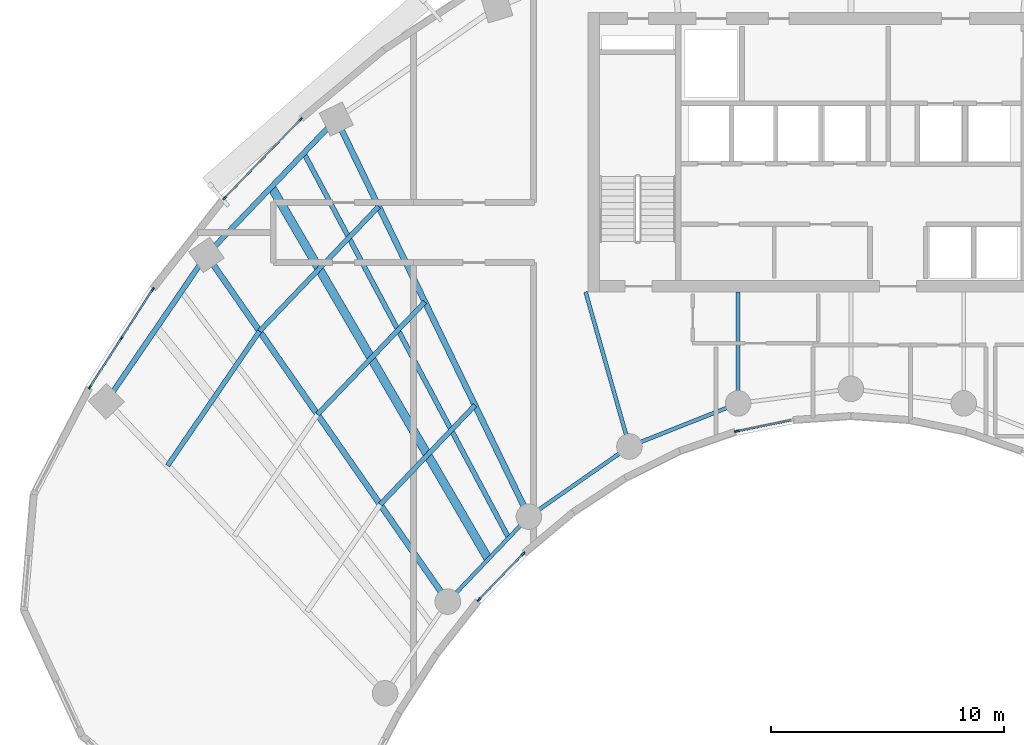
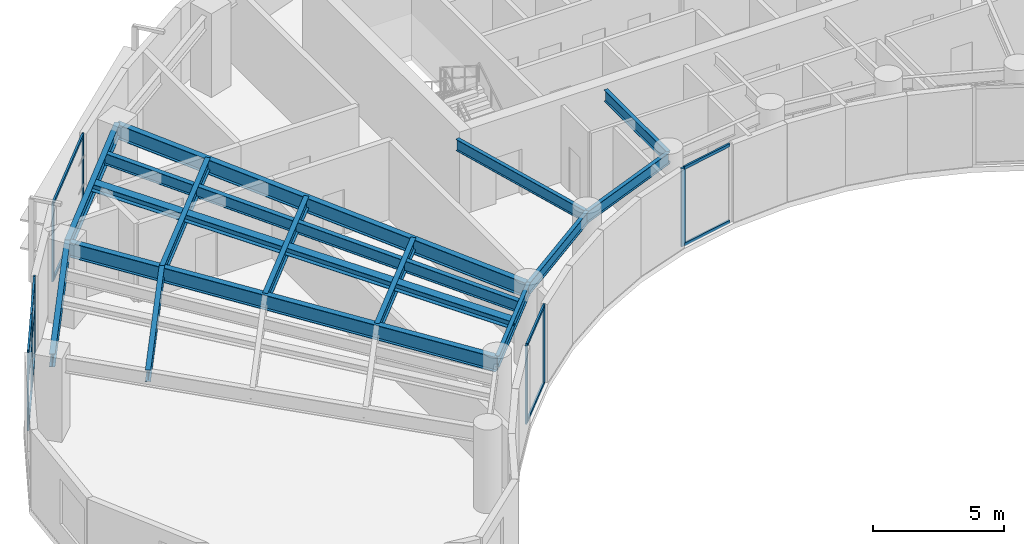
# One storey, part 2 of 13: 20 members, 15 beams, 4 elements without a shape of their own.
"""IFC4 building model written with IfcOpenShell, lengths in metres."""

from ifc_helpers import new_model, si_unit, direction, frame, origin, origin_2d, place, context, subcontext, project, spatial, rectangle, i_section, extrude, source, transform, mapped, material, layer, layer_set, material_profile, profile_set, type_object, type_shapes, element, aggregate, save


model = new_model("IFC4")

# Units and contexts
model_context = context("Model", 3, precision=1e-05, world=origin(), true_north=direction((0.0, 1.0)))
body_context = subcontext(model_context, "Body", "Model", "MODEL_VIEW")
ifc_project = project(units=[si_unit("LENGTHUNIT", "METRE"), si_unit("AREAUNIT", "SQUARE_METRE"), si_unit("VOLUMEUNIT", "CUBIC_METRE"), si_unit("PLANEANGLEUNIT", "RADIAN"), si_unit("MASSUNIT", "GRAM", prefix="KILO")], contexts=[model_context])

# Site, building, storey
site_placement = place(None, origin())
site = spatial("IfcSite", under=ifc_project, at=site_placement, CompositionType="ELEMENT")
building_placement = place(site_placement, origin())
building = spatial("IfcBuilding", under=site, at=building_placement, Name="Breltana Convention Tower", CompositionType="ELEMENT")
storey_placement = place(building_placement, frame((0.0, 0.0, 181.800048828125)))
storey = spatial("IfcBuildingStorey", under=building, at=storey_placement, Name="L44", CompositionType="ELEMENT", Elevation=181.800048828125)

# Beams
ifc_material_1 = material(Name="Steel ASTM A992 Grade 50", Category="steel")
ifc_material_profile_1 = material_profile(ifc_material_1, i_section(OverallWidth=0.2099609375, OverallDepth=0.537109375, WebThickness=0.010986328125, FlangeThickness=0.017333984375, at=origin_2d()), Name="W21X68")
ifc_profile_set_1 = profile_set([ifc_material_profile_1], Name="Steel ASTM A992 Grade 50")
beam_type_1 = type_object("IfcBeamType", Name="BM-JSG-04", PredefinedType="JOIST", material=ifc_profile_set_1)
shared_shape_1 = source(origin(), body_context, "Body", "SweptSolid", [
    extrude(i_section(OverallWidth=0.2099609375, OverallDepth=0.537109375, WebThickness=0.010986328125, FlangeThickness=0.017333984375, at=origin_2d()), origin(), (0.0, 0.0, 1.0), 6.997314453125),
])
beam_1_placement = place(storey_placement, frame((18.641845703125, 52.735595703125, 3.38134765625), z_axis=(0.564468756361, 0.825454434292, 0.0), x_axis=(-0.825454434292, 0.564468756361, 0.0)))
element("IfcBeam", 1, at=beam_1_placement, inside=storey, type_object=beam_type_1, Name="L44 Composite Floor Joist 01.3", PredefinedType="JOIST", context=body_context, shape_type="MappedRepresentation", body=[
    mapped(shared_shape_1, transform((0.0, 0.0, 0.0), scale=1.0)),
])
shared_shape_2 = source(origin(), body_context, "Body", "SweptSolid", [
    extrude(i_section(OverallWidth=0.2099609375, OverallDepth=0.537109375, WebThickness=0.010986328125, FlangeThickness=0.017333984375, at=origin_2d()), origin(), (0.0, 0.0, 1.0), 5.8974609375),
])
beam_2_placement = place(storey_placement, frame((27.774658203125, 51.063232421875, 3.38134765625), z_axis=(0.690713978666, 0.723128065888, 0.0), x_axis=(-0.723128065888, 0.690713978666, 0.0)))
element("IfcBeam", 2, at=beam_2_placement, inside=storey, type_object=beam_type_1, Name="L44 Composite Floor Joist 02.1", PredefinedType="JOIST", context=body_context, shape_type="MappedRepresentation", body=[
    mapped(shared_shape_2, transform((0.0, 0.0, 0.0), scale=1.0)),
])
shared_shape_3 = source(origin(), body_context, "Body", "SweptSolid", [
    extrude(i_section(OverallWidth=0.2099609375, OverallDepth=0.537109375, WebThickness=0.010986328125, FlangeThickness=0.017333984375, at=origin_2d()), origin(), (0.0, 0.0, 1.0), 6.68359375),
])
beam_3_placement = place(storey_placement, frame((25.079345703125, 54.936279296875, 3.38134765625), z_axis=(0.690720705885, 0.723121640156, 0.0), x_axis=(-0.723121640156, 0.690720705885, 0.0)))
element("IfcBeam", 3, at=beam_3_placement, inside=storey, type_object=beam_type_1, Name="L44 Composite Floor Joist 02.2", PredefinedType="JOIST", context=body_context, shape_type="MappedRepresentation", body=[
    mapped(shared_shape_3, transform((0.0, 0.0, 0.0), scale=1.0)),
])
shared_shape_4 = source(origin(), body_context, "Body", "SweptSolid", [
    extrude(i_section(OverallWidth=0.2099609375, OverallDepth=0.537109375, WebThickness=0.010986328125, FlangeThickness=0.017333984375, at=origin_2d()), origin(), (0.0, 0.0, 1.0), 7.40869140625),
])
beam_4_placement = place(storey_placement, frame((22.591552734375, 58.511474609375, 3.38134765625), z_axis=(0.690724936208, 0.723117599358, 0.0), x_axis=(-0.723117599358, 0.690724936208, 0.0)))
element("IfcBeam", 4, at=beam_4_placement, inside=storey, type_object=beam_type_1, Name="L44 Composite Floor Joist 02.3", PredefinedType="JOIST", context=body_context, shape_type="MappedRepresentation", body=[
    mapped(shared_shape_4, transform((0.0, 0.0, 0.0), scale=1.0)),
])
ifc_material_profile_2 = material_profile(ifc_material_1, i_section(OverallWidth=0.368896484375, OverallDepth=0.35595703125, WebThickness=0.01123046875, FlangeThickness=0.01806640625, at=origin_2d()), Name="W14X90")
ifc_profile_set_2 = profile_set([ifc_material_profile_2], Name="Steel ASTM A992 Grade 50")
beam_type_2 = type_object("IfcBeamType", Name="BM-JSG-09", PredefinedType="JOIST", material=ifc_profile_set_2)
shared_shape_5 = source(origin(), body_context, "Body", "SweptSolid", [
    extrude(i_section(OverallWidth=0.368896484375, OverallDepth=0.35595703125, WebThickness=0.01123046875, FlangeThickness=0.01806640625, at=origin_2d()), origin(), (0.0, 0.0, 1.0), 18.50830078125),
])
beam_5_placement = place(storey_placement, frame((32.421630859375, 48.71875, 3.471923828125), z_axis=(-0.50368319637, 0.863888440537, 0.0), x_axis=(-0.863888440537, -0.50368319637, 0.0)))
element("IfcBeam", 5, at=beam_5_placement, inside=storey, type_object=beam_type_2, Name="L44 Mid-Bay Radial Trimmer 02", PredefinedType="JOIST", context=body_context, shape_type="MappedRepresentation", body=[
    mapped(shared_shape_5, transform((0.0, 0.0, 0.0), scale=1.0)),
])
shared_shape_6 = source(origin(), body_context, "Body", "SweptSolid", [
    extrude(i_section(OverallWidth=0.2099609375, OverallDepth=0.537109375, WebThickness=0.010986328125, FlangeThickness=0.017333984375, at=origin_2d()), origin(), (0.0, 0.0, 1.0), 18.731689453125),
])
beam_6_placement = place(storey_placement, frame((33.2939453125, 49.6318359375, 3.38134765625), z_axis=(-0.469820250451, 0.882762104004, 0.0), x_axis=(-0.882762104004, -0.469820250451, 0.0)))
element("IfcBeam", 6, at=beam_6_placement, inside=storey, type_object=beam_type_1, Name="L44 Quarter-Bay Radial Trimmer 02", PredefinedType="JOIST", context=body_context, shape_type="MappedRepresentation", body=[
    mapped(shared_shape_6, transform((0.0, 0.0, 0.0), scale=1.0)),
])
ifc_material_profile_3 = material_profile(ifc_material_1, i_section(OverallWidth=0.25390625, OverallDepth=0.68798828125, WebThickness=0.01318359375, FlangeThickness=0.02099609375, at=origin_2d()), Name="W27X102")
ifc_profile_set_3 = profile_set([ifc_material_profile_3], Name="Steel ASTM A992 Grade 50")
beam_type_3 = type_object("IfcBeamType", Name="BM-RG-W27X102", PredefinedType="USERDEFINED", material=ifc_profile_set_3)
shared_shape_7 = source(origin(), body_context, "Body", "SweptSolid", [
    extrude(i_section(OverallWidth=0.25390625, OverallDepth=0.68798828125, WebThickness=0.01318359375, FlangeThickness=0.02099609375, at=origin_2d()), origin(), (0.0, 0.0, 1.0), 18.1484375),
])
beam_7_placement = place(storey_placement, frame((30.67724609375, 46.892333984375, 3.305908203125), z_axis=(-0.571207556098, 0.820805657788, 0.0), x_axis=(-0.820805657788, -0.571207556098, 0.0)))
element("IfcBeam", 7, at=beam_7_placement, inside=storey, type_object=beam_type_3, Name="L44 Radial Floor Girder R02", ObjectType="GIRDER", PredefinedType="USERDEFINED", context=body_context, shape_type="MappedRepresentation", body=[
    mapped(shared_shape_7, transform((0.0, 0.0, 0.0), scale=1.0)),
])
shared_shape_8 = source(origin(), body_context, "Body", "SweptSolid", [
    extrude(i_section(OverallWidth=0.25390625, OverallDepth=0.68798828125, WebThickness=0.01318359375, FlangeThickness=0.02099609375, at=origin_2d()), origin(), (0.0, 0.0, 1.0), 18.982421875),
])
beam_8_placement = place(storey_placement, frame((34.166259765625, 50.544921875, 3.305908203125), z_axis=(-0.436118560343, 0.89988921614, 0.0), x_axis=(-0.89988921614, -0.436118560343, 0.0)))
element("IfcBeam", 8, at=beam_8_placement, inside=storey, type_object=beam_type_3, Name="L44 Radial Floor Girder R03", ObjectType="GIRDER", PredefinedType="USERDEFINED", context=body_context, shape_type="MappedRepresentation", body=[
    mapped(shared_shape_8, transform((0.0, 0.0, 0.0), scale=1.0)),
])
ifc_material_profile_4 = material_profile(ifc_material_1, i_section(OverallWidth=0.166015625, OverallDepth=0.534912109375, WebThickness=0.01025390625, FlangeThickness=0.0166015625, at=origin_2d()), Name="W21X57")
ifc_profile_set_4 = profile_set([ifc_material_profile_4], Name="Steel ASTM A992 Grade 50")
beam_type_4 = type_object("IfcBeamType", Name="BM-BM-W21X57", PredefinedType="BEAM", material=ifc_profile_set_4)
shared_shape_9 = source(origin(), body_context, "Body", "SweptSolid", [
    extrude(i_section(OverallWidth=0.166015625, OverallDepth=0.534912109375, WebThickness=0.01025390625, FlangeThickness=0.0166015625, at=origin_2d()), origin(), (0.0, 0.0, 1.0), 6.904541015625),
])
type_shapes(beam_type_4, [shared_shape_9])
beam_9_placement = place(storey_placement, frame((36.60009765625, 60.199951171875, 3.382568359375), z_axis=(0.273006781054, -0.962012108811, 0.0), x_axis=(0.962012108811, 0.273006781054, 0.0)))
element("IfcBeam", 9, at=beam_9_placement, inside=storey, type_object=beam_type_4, Name="L44 South Core Tie Girder R04", PredefinedType="BEAM", context=body_context, shape_type="MappedRepresentation", body=[
    mapped(shared_shape_9, transform((0.0, 0.0, 0.0), scale=1.0)),
])
shared_shape_10 = source(origin(), body_context, "Body", "SweptSolid", [
    extrude(i_section(OverallWidth=0.166015625, OverallDepth=0.534912109375, WebThickness=0.01025390625, FlangeThickness=0.0166015625, at=origin_2d()), origin(), (0.0, 0.0, 1.0), 4.789306640625),
])
beam_10_placement = place(storey_placement, frame((43.153564453125, 60.199951171875, 3.382568359375), z_axis=(0.0, -1.0, 0.0), x_axis=(1.0, 0.0, 0.0)))
element("IfcBeam", 10, at=beam_10_placement, inside=storey, type_object=beam_type_4, Name="L44 South Core Tie Girder R05", PredefinedType="BEAM", context=body_context, shape_type="MappedRepresentation", body=[
    mapped(shared_shape_10, transform((0.0, 0.0, 0.0), scale=1.0)),
])
ifc_material_profile_5 = material_profile(ifc_material_1, i_section(OverallWidth=0.22802734375, OverallDepth=0.60791015625, WebThickness=0.01123046875, FlangeThickness=0.017333984375, at=origin_2d()), Name="W24X76")
ifc_profile_set_5 = profile_set([ifc_material_profile_5], Name="Steel ASTM A992 Grade 50")
beam_type_5 = type_object("IfcBeamType", Name="BM-SP-W24X76", PredefinedType="SPANDREL", material=ifc_profile_set_5)
shared_shape_11 = source(origin(), body_context, "Body", "SweptSolid", [
    extrude(i_section(OverallWidth=0.22802734375, OverallDepth=0.60791015625, WebThickness=0.01123046875, FlangeThickness=0.017333984375, at=origin_2d()), origin(), (0.0, 0.0, 1.0), 7.625),
])
type_shapes(beam_type_5, [shared_shape_11])
beam_11_placement = place(storey_placement, frame((16.0068359375, 55.494384765625, 3.345947265625), z_axis=(0.564452031902, 0.825465870694, 0.0), x_axis=(-0.825465870694, 0.564452031902, 0.0)))
element("IfcBeam", 11, at=beam_11_placement, inside=storey, type_object=beam_type_5, Name="L44 Outer Spandrel Beam 01", PredefinedType="SPANDREL", context=body_context, shape_type="MappedRepresentation", body=[
    mapped(shared_shape_11, transform((0.0, 0.0, 0.0), scale=1.0)),
])
shared_shape_12 = source(origin(), body_context, "Body", "SweptSolid", [
    extrude(i_section(OverallWidth=0.166015625, OverallDepth=0.534912109375, WebThickness=0.01025390625, FlangeThickness=0.0166015625, at=origin_2d()), origin(), (0.0, 0.0, 1.0), 5.05126953125),
])
beam_12_placement = place(storey_placement, frame((30.67724609375, 46.892333984375, 3.382568359375), z_axis=(0.690729753845, 0.7231129975, 0.0), x_axis=(-0.7231129975, 0.690729753845, 0.0)))
element("IfcBeam", 12, at=beam_12_placement, inside=storey, type_object=beam_type_4, Name="L44 Inner Ring Beam 02", PredefinedType="BEAM", context=body_context, shape_type="MappedRepresentation", body=[
    mapped(shared_shape_12, transform((0.0, 0.0, 0.0), scale=1.0)),
])
shared_shape_13 = source(origin(), body_context, "Body", "SweptSolid", [
    extrude(i_section(OverallWidth=0.22802734375, OverallDepth=0.60791015625, WebThickness=0.01123046875, FlangeThickness=0.017333984375, at=origin_2d()), origin(), (0.0, 0.0, 1.0), 8.073974609375),
])
beam_13_placement = place(storey_placement, frame((20.310791015625, 61.78857421875, 3.345947265625), z_axis=(0.69072885448, 0.723113856588, 0.0), x_axis=(-0.723113856588, 0.69072885448, 0.0)))
element("IfcBeam", 13, at=beam_13_placement, inside=storey, type_object=beam_type_5, Name="L44 Outer Spandrel Beam 02", PredefinedType="SPANDREL", context=body_context, shape_type="MappedRepresentation", body=[
    mapped(shared_shape_13, transform((0.0, 0.0, 0.0), scale=1.0)),
])
shared_shape_14 = source(origin(), body_context, "Body", "SweptSolid", [
    extrude(i_section(OverallWidth=0.166015625, OverallDepth=0.534912109375, WebThickness=0.01025390625, FlangeThickness=0.0166015625, at=origin_2d()), origin(), (0.0, 0.0, 1.0), 5.265869140625),
])
beam_14_placement = place(storey_placement, frame((34.166259765625, 50.544921875, 3.382568359375), z_axis=(0.820167429517, 0.572123577176, 0.0), x_axis=(-0.572123577176, 0.820167429517, 0.0)))
element("IfcBeam", 14, at=beam_14_placement, inside=storey, type_object=beam_type_4, Name="L44 Inner Ring Beam 03", PredefinedType="BEAM", context=body_context, shape_type="MappedRepresentation", body=[
    mapped(shared_shape_14, transform((0.0, 0.0, 0.0), scale=1.0)),
])
shared_shape_15 = source(origin(), body_context, "Body", "SweptSolid", [
    extrude(i_section(OverallWidth=0.166015625, OverallDepth=0.534912109375, WebThickness=0.01025390625, FlangeThickness=0.0166015625, at=origin_2d()), origin(), (0.0, 0.0, 1.0), 5.022705078125),
])
beam_15_placement = place(storey_placement, frame((38.485107421875, 53.5576171875, 3.382568359375), z_axis=(0.929458966248, 0.368925507469, 0.0), x_axis=(-0.368925507469, 0.929458966248, 0.0)))
element("IfcBeam", 15, at=beam_15_placement, inside=storey, type_object=beam_type_4, Name="L44 Inner Ring Beam 04", PredefinedType="BEAM", context=body_context, shape_type="MappedRepresentation", body=[
    mapped(shared_shape_15, transform((0.0, 0.0, 0.0), scale=1.0)),
])

# Curtain wall, member
ifc_material_2 = material(Name="Aluminium Anodised Bronze Frame", Category="aluminium")
ifc_layer_1 = layer(ifc_material_2, 0.18994140625, Name="Aluminium Anodised Bronze Frame")
ifc_layer_set_1 = layer_set([ifc_layer_1], Name="Aluminium Anodised Bronze Frame")
curtain_wall_type_1 = type_object("IfcCurtainWallType", Name="CW-SYS-1", PredefinedType="NOTDEFINED", material=ifc_layer_set_1)
curtain_wall_1_placement = place(storey_placement, origin())
curtain_wall_1 = element("IfcCurtainWall", 16, at=curtain_wall_1_placement, inside=storey, type_object=curtain_wall_type_1, Name="L44 inner south-court glazing 4", PredefinedType="NOTDEFINED")
ifc_material_3 = material(Name="Aluminium Anodised Bronze", Category="aluminium")
ifc_material_profile_6 = material_profile(ifc_material_3, rectangle(XDim=0.080078125, YDim=0.199951171875, at=origin_2d()), Name="CWM-80X200")
ifc_profile_set_6 = profile_set([ifc_material_profile_6], Name="Aluminium Anodised Bronze")
member_type_1 = type_object("IfcMemberType", Name="CWM-200", PredefinedType="MULLION", material=ifc_profile_set_6)
shared_shape_16 = source(origin(), body_context, "Body", "SweptSolid", [
    extrude(rectangle(XDim=0.080078125, YDim=0.199951171875, at=origin_2d()), origin(), (0.0, 0.0, 1.0), 3.64990234375),
])
member_1_placement = place(storey_placement, frame((43.0966796875, 54.212646484375, 0.0), z_axis=(0.0, 0.0, 1.0), x_axis=(0.200861178299, -0.979619715529, 0.0)))
member_1 = element("IfcMember", 17, at=member_1_placement, type_object=member_type_1, Name="CW-01 mullion 2", PredefinedType="MULLION", context=body_context, shape_type="MappedRepresentation", body=[
    mapped(shared_shape_16, transform((0.0, 0.0, 0.0), scale=1.0)),
])

# Curtain wall, members
curtain_wall_2_placement = place(storey_placement, origin())
curtain_wall_2 = element("IfcCurtainWall", 18, at=curtain_wall_2_placement, inside=storey, type_object=curtain_wall_type_1, Name="L44 inner south-court glazing 5", PredefinedType="NOTDEFINED")
member_2_placement = place(storey_placement, frame((33.917236328125, 48.944580078125, 0.0), z_axis=(0.0, 0.0, 1.0), x_axis=(0.719389819694, -0.694606570168, 0.0)))
member_2 = element("IfcMember", 19, at=member_2_placement, type_object=member_type_1, Name="CW-01 mullion 1", PredefinedType="MULLION", context=body_context, shape_type="MappedRepresentation", body=[
    mapped(shared_shape_16, transform((0.0, 0.0, 0.0), scale=1.0)),
])
member_3_placement = place(storey_placement, frame((32.019287109375, 46.978759765625, 0.0), z_axis=(0.0, 0.0, 1.0), x_axis=(0.719389819694, -0.694606570168, 0.0)))
member_3 = element("IfcMember", 20, at=member_3_placement, type_object=member_type_1, Name="CW-01 mullion 2", PredefinedType="MULLION", context=body_context, shape_type="MappedRepresentation", body=[
    mapped(shared_shape_16, transform((0.0, 0.0, 0.0), scale=1.0)),
])

ifc_layer_2 = layer(ifc_material_2, 0.2099609375, Name="Aluminium Anodised Bronze Frame")
ifc_layer_set_2 = layer_set([ifc_layer_2], Name="Aluminium Anodised Bronze Frame")
curtain_wall_type_2 = type_object("IfcCurtainWallType", Name="CW-SYS-3", PredefinedType="NOTDEFINED", material=ifc_layer_set_2)
curtain_wall_3_placement = place(storey_placement, origin())
curtain_wall_3 = element("IfcCurtainWall", 21, at=curtain_wall_3_placement, inside=storey, type_object=curtain_wall_type_2, Name="L44 outer double-skin inner glazing 1", PredefinedType="NOTDEFINED")
ifc_material_profile_7 = material_profile(ifc_material_3, rectangle(XDim=0.070068359375, YDim=0.175048828125, at=origin_2d()), Name="CWM-70X175")
ifc_profile_set_7 = profile_set([ifc_material_profile_7], Name="Aluminium Anodised Bronze")
member_type_2 = type_object("IfcMemberType", Name="CWM-175", PredefinedType="MULLION", material=ifc_profile_set_7)
shared_shape_17 = source(origin(), body_context, "Body", "SweptSolid", [
    extrude(rectangle(XDim=0.070068359375, YDim=0.175048828125, at=origin_2d()), origin(), (0.0, 0.0, 1.0), 3.64990234375),
])
member_4_placement = place(storey_placement, frame((15.304443359375, 56.10498046875, 0.0), z_axis=(0.0, 0.0, 1.0), x_axis=(-0.841554203529, 0.54017267843, 0.0)))
member_4 = element("IfcMember", 22, at=member_4_placement, type_object=member_type_2, Name="CW-03 mullion 1", PredefinedType="MULLION", context=body_context, shape_type="MappedRepresentation", body=[
    mapped(shared_shape_17, transform((0.0, 0.0, 0.0), scale=1.0)),
])
member_5_placement = place(storey_placement, frame((16.6533203125, 58.20654296875, 0.0), z_axis=(0.0, 0.0, 1.0), x_axis=(-0.841554203529, 0.54017267843, 0.0)))
member_5 = element("IfcMember", 23, at=member_5_placement, type_object=member_type_2, Name="CW-03 mullion 2", PredefinedType="MULLION", context=body_context, shape_type="MappedRepresentation", body=[
    mapped(shared_shape_17, transform((0.0, 0.0, 0.0), scale=1.0)),
])
member_6_placement = place(storey_placement, frame((18.00244140625, 60.308349609375, 0.0), z_axis=(0.0, 0.0, 1.0), x_axis=(-0.841554203529, 0.54017267843, 0.0)))
member_6 = element("IfcMember", 24, at=member_6_placement, type_object=member_type_2, Name="CW-03 mullion 3", PredefinedType="MULLION", context=body_context, shape_type="MappedRepresentation", body=[
    mapped(shared_shape_17, transform((0.0, 0.0, 0.0), scale=1.0)),
])

curtain_wall_4_placement = place(storey_placement, origin())
curtain_wall_4 = element("IfcCurtainWall", 25, at=curtain_wall_4_placement, inside=storey, type_object=curtain_wall_type_2, Name="L44 outer double-skin inner glazing 2", PredefinedType="NOTDEFINED")
member_7_placement = place(storey_placement, frame((21.087890625, 64.2314453125, 0.0), z_axis=(0.0, 0.0, 1.0), x_axis=(-0.719393523398, 0.694602734297, 0.0)))
member_7 = element("IfcMember", 26, at=member_7_placement, type_object=member_type_2, Name="CW-03 mullion 1", PredefinedType="MULLION", context=body_context, shape_type="MappedRepresentation", body=[
    mapped(shared_shape_17, transform((0.0, 0.0, 0.0), scale=1.0)),
])
member_8_placement = place(storey_placement, frame((24.356689453125, 67.616943359375, 0.0), z_axis=(0.0, 0.0, 1.0), x_axis=(-0.719393523398, 0.694602734297, 0.0)))
member_8 = element("IfcMember", 27, at=member_8_placement, type_object=member_type_2, Name="CW-03 mullion 2", PredefinedType="MULLION", context=body_context, shape_type="MappedRepresentation", body=[
    mapped(shared_shape_17, transform((0.0, 0.0, 0.0), scale=1.0)),
])

# Member
ifc_material_profile_8 = material_profile(ifc_material_3, rectangle(XDim=0.080078125, YDim=0.139892578125, at=origin_2d()), Name="CWT-80X140")
ifc_profile_set_8 = profile_set([ifc_material_profile_8], Name="Aluminium Anodised Bronze")
member_type_3 = type_object("IfcMemberType", Name="CWT-140", PredefinedType="USERDEFINED", material=ifc_profile_set_8)
shared_shape_18 = source(origin(), body_context, "Body", "SweptSolid", [
    extrude(rectangle(XDim=0.080078125, YDim=0.139892578125, at=origin_2d()), origin(), (0.0, 0.0, 1.0), 2.427490234375),
])
member_9_placement = place(storey_placement, frame((15.3232421875, 56.134521484375, 0.0400390625), z_axis=(0.540203388332, 0.841534490817, 0.0), x_axis=(-0.841534490817, 0.540203388332, 0.0)))
member_9 = element("IfcMember", 28, at=member_9_placement, type_object=member_type_3, Name="CW-03 transom 1.1", ObjectType="TRANSOM", PredefinedType="USERDEFINED", context=body_context, shape_type="MappedRepresentation", body=[
    mapped(shared_shape_18, transform((0.0, 0.0, 0.0), scale=1.0)),
])

member_10_placement = place(storey_placement, frame((15.3232421875, 56.134521484375, 2.37255859375), z_axis=(0.540203388332, 0.841534490817, 0.0), x_axis=(-0.841534490817, 0.540203388332, 0.0)))
member_10 = element("IfcMember", 29, at=member_10_placement, type_object=member_type_3, Name="CW-03 transom 1.2", ObjectType="TRANSOM", PredefinedType="USERDEFINED", context=body_context, shape_type="MappedRepresentation", body=[
    mapped(shared_shape_18, transform((0.0, 0.0, 0.0), scale=1.0)),
])

member_11_placement = place(storey_placement, frame((15.3232421875, 56.134521484375, 3.60986328125), z_axis=(0.540203388332, 0.841534490817, 0.0), x_axis=(-0.841534490817, 0.540203388332, 0.0)))
member_11 = element("IfcMember", 30, at=member_11_placement, type_object=member_type_3, Name="CW-03 transom 1.3", ObjectType="TRANSOM", PredefinedType="USERDEFINED", context=body_context, shape_type="MappedRepresentation", body=[
    mapped(shared_shape_18, transform((0.0, 0.0, 0.0), scale=1.0)),
])

shared_shape_19 = source(origin(), body_context, "Body", "SweptSolid", [
    extrude(rectangle(XDim=0.080078125, YDim=0.139892578125, at=origin_2d()), origin(), (0.0, 0.0, 1.0), 2.42724609375),
])
member_12_placement = place(storey_placement, frame((16.67236328125, 58.236083984375, 0.0400390625), z_axis=(0.540132155308, 0.841580212934, 0.0), x_axis=(-0.841580212934, 0.540132155308, 0.0)))
member_12 = element("IfcMember", 31, at=member_12_placement, type_object=member_type_3, Name="CW-03 transom 2.1", ObjectType="TRANSOM", PredefinedType="USERDEFINED", context=body_context, shape_type="MappedRepresentation", body=[
    mapped(shared_shape_19, transform((0.0, 0.0, 0.0), scale=1.0)),
])

member_13_placement = place(storey_placement, frame((16.67236328125, 58.236083984375, 2.37255859375), z_axis=(0.540132155308, 0.841580212934, 0.0), x_axis=(-0.841580212934, 0.540132155308, 0.0)))
member_13 = element("IfcMember", 32, at=member_13_placement, type_object=member_type_3, Name="CW-03 transom 2.2", ObjectType="TRANSOM", PredefinedType="USERDEFINED", context=body_context, shape_type="MappedRepresentation", body=[
    mapped(shared_shape_19, transform((0.0, 0.0, 0.0), scale=1.0)),
])

member_14_placement = place(storey_placement, frame((16.67236328125, 58.236083984375, 3.60986328125), z_axis=(0.540132155308, 0.841580212934, 0.0), x_axis=(-0.841580212934, 0.540132155308, 0.0)))
member_14 = element("IfcMember", 33, at=member_14_placement, type_object=member_type_3, Name="CW-03 transom 2.3", ObjectType="TRANSOM", PredefinedType="USERDEFINED", context=body_context, shape_type="MappedRepresentation", body=[
    mapped(shared_shape_19, transform((0.0, 0.0, 0.0), scale=1.0)),
])

aggregate(curtain_wall_3, [member_4, member_5, member_6, member_9, member_10, member_11, member_12, member_13, member_14])

shared_shape_20 = source(origin(), body_context, "Body", "SweptSolid", [
    extrude(rectangle(XDim=0.080078125, YDim=0.139892578125, at=origin_2d()), origin(), (0.0, 0.0, 1.0), 4.635986328125),
])
member_15_placement = place(storey_placement, frame((21.1123046875, 64.256591796875, 0.0400390625), z_axis=(0.694569137919, 0.719425960506, 0.0), x_axis=(-0.719425960506, 0.694569137919, 0.0)))
member_15 = element("IfcMember", 34, at=member_15_placement, type_object=member_type_3, Name="CW-03 transom 1.1", ObjectType="TRANSOM", PredefinedType="USERDEFINED", context=body_context, shape_type="MappedRepresentation", body=[
    mapped(shared_shape_20, transform((0.0, 0.0, 0.0), scale=1.0)),
])

member_16_placement = place(storey_placement, frame((21.1123046875, 64.256591796875, 3.60986328125), z_axis=(0.694569137919, 0.719425960506, 0.0), x_axis=(-0.719425960506, 0.694569137919, 0.0)))
member_16 = element("IfcMember", 35, at=member_16_placement, type_object=member_type_3, Name="CW-03 transom 1.2", ObjectType="TRANSOM", PredefinedType="USERDEFINED", context=body_context, shape_type="MappedRepresentation", body=[
    mapped(shared_shape_20, transform((0.0, 0.0, 0.0), scale=1.0)),
])

aggregate(curtain_wall_4, [member_7, member_8, member_15, member_16])

shared_shape_21 = source(origin(), body_context, "Body", "SweptSolid", [
    extrude(rectangle(XDim=0.080078125, YDim=0.139892578125, at=origin_2d()), origin(), (0.0, 0.0, 1.0), 2.331298828125),
])
member_17_placement = place(storey_placement, frame((45.419677734375, 54.688720703125, 0.0400390625), z_axis=(-0.979618555343, -0.200866836556, 0.0), x_axis=(0.200866836556, -0.979618555343, 0.0)))
member_17 = element("IfcMember", 36, at=member_17_placement, type_object=member_type_3, Name="CW-01 transom 1.1", ObjectType="TRANSOM", PredefinedType="USERDEFINED", context=body_context, shape_type="MappedRepresentation", body=[
    mapped(shared_shape_21, transform((0.0, 0.0, 0.0), scale=1.0)),
])

member_18_placement = place(storey_placement, frame((45.419677734375, 54.688720703125, 3.60986328125), z_axis=(-0.979618555343, -0.200866836556, 0.0), x_axis=(0.200866836556, -0.979618555343, 0.0)))
member_18 = element("IfcMember", 37, at=member_18_placement, type_object=member_type_3, Name="CW-01 transom 1.2", ObjectType="TRANSOM", PredefinedType="USERDEFINED", context=body_context, shape_type="MappedRepresentation", body=[
    mapped(shared_shape_21, transform((0.0, 0.0, 0.0), scale=1.0)),
])

aggregate(curtain_wall_1, [member_1, member_17, member_18])

shared_shape_22 = source(origin(), body_context, "Body", "SweptSolid", [
    extrude(rectangle(XDim=0.080078125, YDim=0.139892578125, at=origin_2d()), origin(), (0.0, 0.0, 1.0), 2.652587890625),
])
member_19_placement = place(storey_placement, frame((33.8896484375, 48.915771484375, 0.0400390625), z_axis=(-0.694619151454, -0.719377671626, 0.0), x_axis=(0.719377671626, -0.694619151454, 0.0)))
member_19 = element("IfcMember", 38, at=member_19_placement, type_object=member_type_3, Name="CW-01 transom 1.1", ObjectType="TRANSOM", PredefinedType="USERDEFINED", context=body_context, shape_type="MappedRepresentation", body=[
    mapped(shared_shape_22, transform((0.0, 0.0, 0.0), scale=1.0)),
])

member_20_placement = place(storey_placement, frame((33.8896484375, 48.915771484375, 3.60986328125), z_axis=(-0.694619151454, -0.719377671626, 0.0), x_axis=(0.719377671626, -0.694619151454, 0.0)))
member_20 = element("IfcMember", 39, at=member_20_placement, type_object=member_type_3, Name="CW-01 transom 1.2", ObjectType="TRANSOM", PredefinedType="USERDEFINED", context=body_context, shape_type="MappedRepresentation", body=[
    mapped(shared_shape_22, transform((0.0, 0.0, 0.0), scale=1.0)),
])

aggregate(curtain_wall_2, [member_2, member_3, member_19, member_20])

save(model, "model.ifc")
